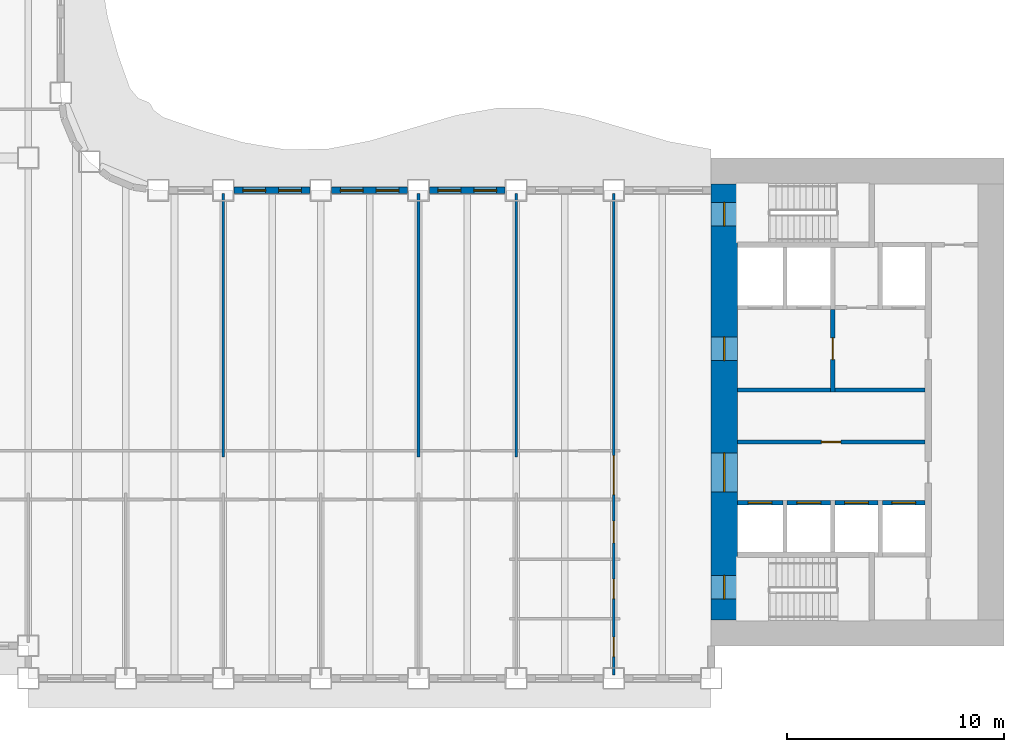
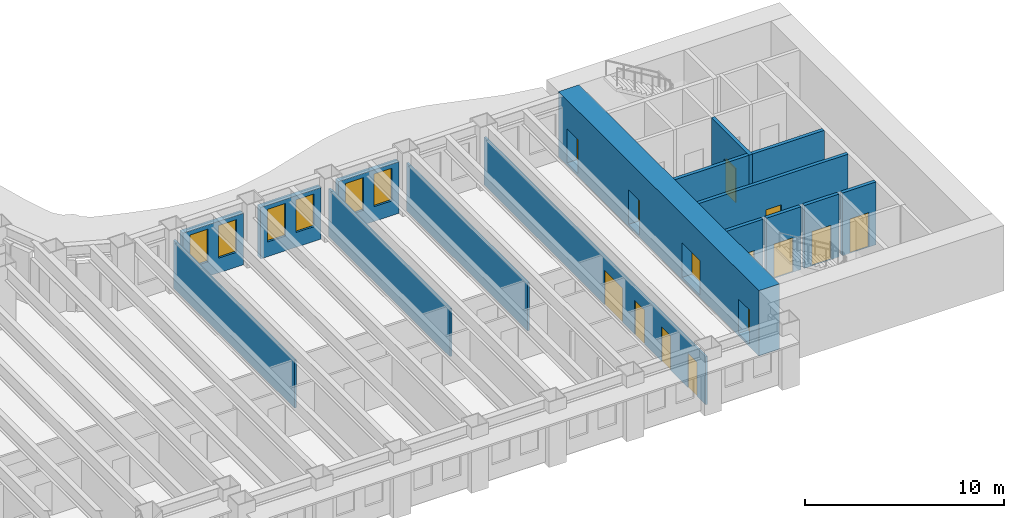
# One storey, part 6 of 16: 16 walls, 14 doors, 6 windows, 20 openings.
"""IFC4 building model written with IfcOpenShell, lengths in metres."""

import ifcopenshell
import ifcopenshell.guid

model = None  # the IFC model being written
_history = None  # IfcOwnerHistory: only IFC2X3 demands one
_inside = {}  # id of a spatial element -> (the spatial element, [elements in it])
_under = {}  # id of a project, library or spatial element -> (it, [spatial elements below it])
_declared = {}  # id of a project -> (the project, [libraries it declares])
_typed = {}  # id of a type object -> (the type object, [elements of that type])
_made_of = {}  # id of a material, layer set ... -> (it, [elements and type objects made of it])


def new_model(schema):
    """Start an empty IFC model of exactly this schema.

    Asked for "IFC4X3", IfcOpenShell would pick the latest addendum, in which some entities
    have other attributes; the version numbers below select the first issue.
    IFC2X3 requires an IfcOwnerHistory on every rooted entity: one is made here for all.
    """
    global model, _history
    if schema == "IFC4X3":
        model = ifcopenshell.file(schema_version=(4, 3, 0, 0))
    else:
        model = ifcopenshell.file(schema=schema)
    _inside.clear()
    _under.clear()
    _declared.clear()
    _typed.clear()
    _made_of.clear()
    _history = None
    if model.schema == "IFC2X3":
        org = make("IfcOrganization", Name="unknown")
        user = make(
            "IfcPersonAndOrganization",
            ThePerson=make("IfcPerson", FamilyName="unknown"),
            TheOrganization=org,
        )
        app = make(
            "IfcApplication",
            ApplicationDeveloper=org,
            Version="unknown",
            ApplicationFullName="unknown",
            ApplicationIdentifier="unknown",
        )
        _history = make(
            "IfcOwnerHistory",
            OwningUser=user,
            OwningApplication=app,
            ChangeAction="ADDED",
            CreationDate=0,
        )
    return model


def make(cls, **values):
    """One entity of the class cls with the attributes given. An attribute that is None is left unset."""
    return model.create_entity(
        cls, **{name: value for name, value in values.items() if value is not None}
    )


def rooted(cls, **values):
    """An entity with a GlobalId (a new one), such as an element, a storey or a relation."""
    return make(cls, GlobalId=ifcopenshell.guid.new(), OwnerHistory=_history, **values)


def si_unit(unit_type, name, prefix=None):
    """IfcSIUnit, for example si_unit("LENGTHUNIT", "METRE", prefix="MILLI")."""
    return make("IfcSIUnit", UnitType=unit_type, Prefix=prefix, Name=name)


def assignment(units):
    """IfcUnitAssignment: the units of a project."""
    return None if units is None else make("IfcUnitAssignment", Units=units)


def point(xyz):
    """IfcCartesianPoint."""
    return None if xyz is None else make("IfcCartesianPoint", Coordinates=xyz)


def direction(xyz):
    """IfcDirection."""
    return None if xyz is None else make("IfcDirection", DirectionRatios=xyz)


def frame(location, z_axis=None, x_axis=None):
    """IfcAxis2Placement3D, a coordinate frame: its origin and axes. An axis left out is left unset."""
    return make(
        "IfcAxis2Placement3D",
        Location=point(location),
        Axis=direction(z_axis),
        RefDirection=direction(x_axis),
    )


def frame_2d(location, x_axis=None):
    """IfcAxis2Placement2D, a coordinate frame in the plane: its origin and x axis."""
    return make(
        "IfcAxis2Placement2D", Location=point(location), RefDirection=direction(x_axis)
    )


def origin():
    """The frame at (0, 0, 0) with its axes left unset."""
    return frame((0.0, 0.0, 0.0))


def place(relative_to, where):
    """IfcLocalPlacement: puts the frame where relative to a parent placement (None: the world)."""
    return make(
        "IfcLocalPlacement", PlacementRelTo=relative_to, RelativePlacement=where
    )


def context(
    kind, dimensions, precision=None, world=None, true_north=None, identifier=None
):
    """IfcGeometricRepresentationContext, for example the 3D "Model" context."""
    return make(
        "IfcGeometricRepresentationContext",
        ContextIdentifier=identifier,
        ContextType=kind,
        CoordinateSpaceDimension=dimensions,
        Precision=precision,
        WorldCoordinateSystem=world,
        TrueNorth=true_north,
    )


def subcontext(parent, identifier, kind, view, scale=None):
    """IfcGeometricRepresentationSubContext, for example "Body" below "Model"."""
    return make(
        "IfcGeometricRepresentationSubContext",
        ContextIdentifier=identifier,
        ContextType=kind,
        ParentContext=parent,
        TargetScale=scale,
        TargetView=view,
    )


def project(units=None, contexts=None):
    """IfcProject with its units and contexts."""
    return rooted(
        "IfcProject",
        Name="project",
        RepresentationContexts=contexts,
        UnitsInContext=assignment(units),
    )


def spatial(cls, under=None, at=None, **own):
    """A site, building, storey or space (cls), placed at a placement, below another one or the project."""
    s = rooted(cls, ObjectPlacement=at, **own)
    if under is not None:
        _under.setdefault(under.id(), (under, []))[1].append(s)
    return s


def profile(cls, at=None, kind="AREA", **sizes):
    """A parametric profile (cls). Its sizes go by their IFC names, for example OverallWidth=200.0."""
    return make(cls, ProfileType=kind, Position=at, **sizes)


def rectangle(**sizes):
    """IfcRectangleProfileDef."""
    return profile("IfcRectangleProfileDef", **sizes)


def extrude(swept, where, along, depth):
    """IfcExtrudedAreaSolid: the profile swept, set in the frame where, extruded along a direction by depth."""
    return make(
        "IfcExtrudedAreaSolid",
        SweptArea=swept,
        Position=where,
        ExtrudedDirection=direction(along),
        Depth=depth,
    )


def shape(context_of_items, identifier, shape_type, items):
    """IfcShapeRepresentation: the items that make up one representation, for example the "Body"."""
    return make(
        "IfcShapeRepresentation",
        ContextOfItems=context_of_items,
        RepresentationIdentifier=identifier,
        RepresentationType=shape_type,
        Items=items,
    )


def material(Name=None, Category=None):
    """IfcMaterial."""
    return make("IfcMaterial", Name=Name, Category=Category)


def layer(
    of_material, thickness, ventilated=None, Name=None, Category=None, Priority=None
):
    """IfcMaterialLayer: one layer of a wall or slab, of a material (None: an air gap)."""
    return make(
        "IfcMaterialLayer",
        Material=of_material,
        LayerThickness=thickness,
        IsVentilated=ventilated,
        Name=Name,
        Category=Category,
        Priority=Priority,
    )


def layer_set(layers, Name=None):
    """IfcMaterialLayerSet."""
    return make("IfcMaterialLayerSet", MaterialLayers=layers, LayerSetName=Name)


def made_of(thing, what):
    """Note that an element or type object is made of a material, layer set ...; save() writes the relation."""
    if what is not None:
        _made_of.setdefault(what.id(), (what, []))[1].append(thing)
    return thing


def type_object(cls, material=None, **own):
    """A type object (cls), such as IfcWallType, which elements share."""
    return made_of(rooted(cls, **own), material)


def element(
    cls,
    number,
    at=None,
    inside=None,
    cuts=None,
    type_object=None,
    material=None,
    context=None,
    identifier="Body",
    shape_type=None,
    held_by="IfcProductDefinitionShape",
    body=None,
    shapes=None,
    **own,
):
    """One element of the class cls, such as IfcWall. Its Tag is "e" and its number.

    at: its placement. inside: the storey or other place that contains it. cuts: it is an
    opening in that element (IfcRelVoidsElement). A single representation is given by context,
    identifier, shape_type and body (its items); several are given by shapes. held_by: the class
    of the entity that holds the representations. save() writes the other relations.
    """
    e = rooted(cls, Tag="e%d" % number, ObjectPlacement=at, **own)
    if body is not None:
        shapes = [shape(context, identifier, shape_type, body)]
    if shapes is not None:
        e.Representation = make(held_by, Representations=shapes)
    if inside is not None:
        _inside.setdefault(inside.id(), (inside, []))[1].append(e)
    if cuts is not None:
        rooted(
            "IfcRelVoidsElement", RelatingBuildingElement=cuts, RelatedOpeningElement=e
        )
    if type_object is not None:
        _typed.setdefault(type_object.id(), (type_object, []))[1].append(e)
    return made_of(e, material)


def fill(opening, filler):
    """IfcRelFillsElement: the door or window that sits in an opening."""
    return rooted(
        "IfcRelFillsElement",
        RelatingOpeningElement=opening,
        RelatedBuildingElement=filler,
    )


def aggregate(whole, parts):
    """IfcRelAggregates: a whole, such as a stair, and the parts it consists of."""
    return rooted("IfcRelAggregates", RelatingObject=whole, RelatedObjects=parts)


def save(model, path):
    """Write the relations noted so far, then the file.

    IfcRelAggregates (storeys below a building ...), IfcRelContainedInSpatialStructure (elements
    in a storey), IfcRelDefinesByType, IfcRelAssociatesMaterial and IfcRelDeclares: one each for
    every whole, place, type object, material and project.
    """
    for whole, parts in _under.values():
        aggregate(whole, parts)
    for where, things in _inside.values():
        rooted(
            "IfcRelContainedInSpatialStructure",
            RelatedElements=things,
            RelatingStructure=where,
        )
    for kind, things in _typed.values():
        rooted("IfcRelDefinesByType", RelatedObjects=things, RelatingType=kind)
    for what, things in _made_of.values():
        rooted("IfcRelAssociatesMaterial", RelatedObjects=things, RelatingMaterial=what)
    for by, libraries in _declared.values():
        rooted("IfcRelDeclares", RelatingContext=by, RelatedDefinitions=libraries)
    model.write(path)


model = new_model("IFC4")

# Units and contexts
model_context = context("Model", 3, precision=1e-05, world=origin(), true_north=direction((0.0, 1.0)))
body_context = subcontext(model_context, "Body", "Model", "MODEL_VIEW")
ifc_project = project(units=[si_unit("LENGTHUNIT", "METRE"), si_unit("AREAUNIT", "SQUARE_METRE"), si_unit("VOLUMEUNIT", "CUBIC_METRE"), si_unit("PLANEANGLEUNIT", "RADIAN"), si_unit("MASSUNIT", "GRAM", prefix="KILO")], contexts=[model_context])

# Site, building, storey
site_placement = place(None, origin())
site = spatial("IfcSite", under=ifc_project, at=site_placement, CompositionType="ELEMENT")
building_placement = place(site_placement, origin())
building = spatial("IfcBuilding", under=site, at=building_placement, Name="Sennacour Bend Tower", CompositionType="ELEMENT")
storey_placement = place(building_placement, frame((0.0, 0.0, 107.0)))
storey = spatial("IfcBuildingStorey", under=building, at=storey_placement, Name="L24", CompositionType="ELEMENT", Elevation=107.0)

# Wall, openings, doors
ifc_material_1 = material(Name="Concrete C80/95", Category="concrete")
ifc_layer_1 = layer(ifc_material_1, 1.199951171875, Name="Concrete C80/95", Category="concrete")
ifc_layer_set_1 = layer_set([ifc_layer_1], Name="Concrete C80/95")
wall_type_1 = type_object("IfcWallType", Name="Core wall 1200 C80/95", PredefinedType="SHEAR", material=ifc_layer_set_1)
wall_1_placement = place(storey_placement, frame((54.60009765625, 1.199951171875, -0.14990234375), z_axis=(0.0, 0.0, 1.0), x_axis=(0.0, 1.0, 0.0)))
wall_1 = element("IfcWall", 1, at=wall_1_placement, inside=storey, type_object=wall_type_1, Name="Core A wall L24 W", PredefinedType="SHEAR", context=body_context, shape_type="SweptSolid", body=[
    extrude(rectangle(XDim=20.10009765625, YDim=1.199951171875, at=frame_2d((10.050048828125, 0.0))), origin(), (0.0, 0.0, 1.0), 4.0),
])
opening_1_placement = place(wall_1_placement, frame((5.89990234375, 0.0, 0.14990234375)))
opening_1 = element("IfcOpeningElement", 2, at=opening_1_placement, cuts=wall_1, Name="Opening CD", PredefinedType="OPENING", context=body_context, shape_type="SweptSolid", body=[
    extrude(rectangle(XDim=1.800048828125, YDim=2.10009765625, at=frame_2d((0.89990234375, 1.050048828125))), frame((0.0, 0.60986328125, 0.0), z_axis=(0.0, -1.0, 0.0), x_axis=(1.0, 0.0, 0.0)), (0.0, 0.0, 1.0), 1.219970703125),
])
opening_2_placement = place(wall_1_placement, frame((11.949951171875, 0.0, 0.14990234375)))
opening_2 = element("IfcOpeningElement", 3, at=opening_2_placement, cuts=wall_1, Name="Opening FD", PredefinedType="OPENING", context=body_context, shape_type="SweptSolid", body=[
    extrude(rectangle(XDim=1.10009765625, YDim=2.10009765625, at=frame_2d((0.550048828125, 1.050048828125))), frame((0.0, 0.60986328125, 0.0), z_axis=(0.0, -1.0, 0.0), x_axis=(1.0, 0.0, 0.0)), (0.0, 0.0, 1.0), 1.219970703125),
])
opening_3_placement = place(wall_1_placement, frame((0.949951171875, 0.0, 0.14990234375)))
opening_3 = element("IfcOpeningElement", 4, at=opening_3_placement, cuts=wall_1, Name="Opening SD", PredefinedType="OPENING", context=body_context, shape_type="SweptSolid", body=[
    extrude(rectangle(XDim=1.10009765625, YDim=2.10009765625, at=frame_2d((0.550048828125, 1.050048828125))), frame((0.0, 0.60986328125, 0.0), z_axis=(0.0, -1.0, 0.0), x_axis=(1.0, 0.0, 0.0)), (0.0, 0.0, 1.0), 1.219970703125),
])
opening_4_placement = place(wall_1_placement, frame((18.14990234375, 0.0, 0.14990234375)))
opening_4 = element("IfcOpeningElement", 5, at=opening_4_placement, cuts=wall_1, Name="Opening SD", PredefinedType="OPENING", context=body_context, shape_type="SweptSolid", body=[
    extrude(rectangle(XDim=1.10009765625, YDim=2.10009765625, at=frame_2d((0.550048828125, 1.050048828125))), frame((0.0, 0.60986328125, 0.0), z_axis=(0.0, -1.0, 0.0), x_axis=(1.0, 0.0, 0.0)), (0.0, 0.0, 1.0), 1.219970703125),
])
ifc_material_2 = material(Name="Painted steel", Category="steel")
door_type_1 = type_object("IfcDoorType", Name="DR-FFL-1100", OperationType="NOTDEFINED", PredefinedType="DOOR", material=ifc_material_2)
door_1_placement = place(opening_2_placement, origin())
door_1 = element("IfcDoor", 6, at=door_1_placement, inside=storey, type_object=door_type_1, Name="Door", OperationType="SINGLE_SWING_RIGHT", OverallHeight=2.10009765625, OverallWidth=1.10009765625, PredefinedType="DOOR", context=body_context, shape_type="SweptSolid", body=[
    extrude(rectangle(XDim=1.10009765625, YDim=2.10009765625, at=frame_2d((0.550048828125, 1.050048828125))), frame((0.0, 0.02490234375, 0.0), z_axis=(0.0, -1.0, 0.0), x_axis=(1.0, 0.0, 0.0)), (0.0, 0.0, 1.0), 0.050048828125),
])
fill(opening_2, door_1)
door_type_2 = type_object("IfcDoorType", Name="DR-LOBBY-1800", OperationType="NOTDEFINED", PredefinedType="DOOR", material=ifc_material_2)
door_2_placement = place(opening_1_placement, origin())
door_2 = element("IfcDoor", 7, at=door_2_placement, inside=storey, type_object=door_type_2, Name="Door", OperationType="DOUBLE_DOOR_SINGLE_SWING", OverallHeight=2.10009765625, OverallWidth=1.800048828125, PredefinedType="DOOR", context=body_context, shape_type="SweptSolid", body=[
    extrude(rectangle(XDim=1.800048828125, YDim=2.10009765625, at=frame_2d((0.89990234375, 1.050048828125))), frame((0.0, 0.02490234375, 0.0), z_axis=(0.0, -1.0, 0.0), x_axis=(1.0, 0.0, 0.0)), (0.0, 0.0, 1.0), 0.050048828125),
])
fill(opening_1, door_2)
door_type_3 = type_object("IfcDoorType", Name="DR-STAIR-1100", OperationType="NOTDEFINED", PredefinedType="DOOR", material=ifc_material_2)
door_3_placement = place(opening_3_placement, origin())
door_3 = element("IfcDoor", 8, at=door_3_placement, inside=storey, type_object=door_type_3, Name="Door", OperationType="SINGLE_SWING_LEFT", OverallHeight=2.10009765625, OverallWidth=1.10009765625, PredefinedType="DOOR", context=body_context, shape_type="SweptSolid", body=[
    extrude(rectangle(XDim=1.10009765625, YDim=2.10009765625, at=frame_2d((0.550048828125, 1.050048828125))), frame((0.0, 0.02490234375, 0.0), z_axis=(0.0, -1.0, 0.0), x_axis=(1.0, 0.0, 0.0)), (0.0, 0.0, 1.0), 0.050048828125),
])
fill(opening_3, door_3)
door_4_placement = place(opening_4_placement, origin())
door_4 = element("IfcDoor", 9, at=door_4_placement, inside=storey, type_object=door_type_3, Name="Door", OperationType="SINGLE_SWING_RIGHT", OverallHeight=2.10009765625, OverallWidth=1.10009765625, PredefinedType="DOOR", context=body_context, shape_type="SweptSolid", body=[
    extrude(rectangle(XDim=1.10009765625, YDim=2.10009765625, at=frame_2d((0.550048828125, 1.050048828125))), frame((0.0, 0.02490234375, 0.0), z_axis=(0.0, -1.0, 0.0), x_axis=(1.0, 0.0, 0.0)), (0.0, 0.0, 1.0), 0.050048828125),
])
fill(opening_4, door_4)

# Walls
ifc_material_3 = material(Name="Plasterboard partition on steel studs", Category="steel")
ifc_layer_2 = layer(ifc_material_3, 0.1201171875, Name="Plasterboard partition on steel studs", Category="steel")
ifc_layer_set_2 = layer_set([ifc_layer_2], Name="Plasterboard partition on steel studs")
wall_type_2 = type_object("IfcWallType", Name="Partition 120", PredefinedType="PARTITIONING", material=ifc_layer_set_2)
for number, where, z_axis, x_axis, name in (
    (10, (31.5, 8.699951171875, 0.0), (0.0, 0.0, 1.0), (0.0, 1.0, 0.0), "P-L24-W027a"),
    (11, (40.5, 8.699951171875, 0.0), (0.0, 0.0, 1.0), (0.0, 1.0, 0.0), "P-L24-W030a"),
    (12, (45.0, 8.699951171875, 0.0), (0.0, 0.0, 1.0), (0.0, 1.0, 0.0), "P-L24-W032a"),
):
    element("IfcWall", number, at=place(storey_placement, frame(where, z_axis=z_axis, x_axis=x_axis)), inside=storey, type_object=wall_type_2, Name=name, PredefinedType="PARTITIONING", context=body_context, shape_type="SweptSolid", body=[
        extrude(rectangle(XDim=12.150146484375, YDim=0.1201171875, at=frame_2d((6.0751953125, 0.0))), origin(), (0.0, 0.0, 1.0), 2.93798828125),
    ])

# Wall, openings, doors
ifc_layer_3 = layer(ifc_material_3, 0.1201171875, Name="Plasterboard partition on steel studs", Category="steel")
ifc_layer_set_3 = layer_set([ifc_layer_3], Name="Plasterboard partition on steel studs")
wall_type_3 = type_object("IfcWallType", Name="Partition 120 EI 30", PredefinedType="PARTITIONING", material=ifc_layer_set_3)
wall_2_placement = place(storey_placement, frame((49.5, -1.35009765625, 0.0), z_axis=(0.0, 0.0, 1.0), x_axis=(0.0, 1.0, 0.0)))
wall_2 = element("IfcWall", 13, at=wall_2_placement, inside=storey, type_object=wall_type_3, Name="P-L24-W033a", PredefinedType="PARTITIONING", context=body_context, shape_type="SweptSolid", body=[
    extrude(rectangle(XDim=22.2001953125, YDim=0.1201171875, at=frame_2d((11.10009765625, 0.0))), origin(), (0.0, 0.0, 1.0), 2.93798828125),
])
opening_5_placement = place(wall_2_placement, frame((8.3251953125, 0.0, 0.0)))
opening_5 = element("IfcOpeningElement", 14, at=opening_5_placement, cuts=wall_2, Name="Opening KD3", PredefinedType="OPENING", context=body_context, shape_type="SweptSolid", body=[
    extrude(rectangle(XDim=1.800048828125, YDim=2.10009765625, at=frame_2d((0.89990234375, 1.050048828125))), frame((0.0, 0.070068359375, 0.0), z_axis=(0.0, -1.0, 0.0), x_axis=(1.0, 0.0, 0.0)), (0.0, 0.0, 1.0), 0.14013671875),
])
opening_6_placement = place(wall_2_placement, frame((0.85009765625, 0.0, 0.0)))
opening_6 = element("IfcOpeningElement", 15, at=opening_6_placement, cuts=wall_2, Name="Opening WD", PredefinedType="OPENING", context=body_context, shape_type="SweptSolid", body=[
    extrude(rectangle(XDim=0.89990234375, YDim=2.10009765625, at=frame_2d((0.449951171875, 1.050048828125))), frame((0.0, 0.070068359375, 0.0), z_axis=(0.0, -1.0, 0.0), x_axis=(1.0, 0.0, 0.0)), (0.0, 0.0, 1.0), 0.14013671875),
])
opening_7_placement = place(wall_2_placement, frame((3.525146484375, 0.0, 0.0)))
opening_7 = element("IfcOpeningElement", 16, at=opening_7_placement, cuts=wall_2, Name="Opening WD", PredefinedType="OPENING", context=body_context, shape_type="SweptSolid", body=[
    extrude(rectangle(XDim=0.89990234375, YDim=2.10009765625, at=frame_2d((0.449951171875, 1.050048828125))), frame((0.0, 0.070068359375, 0.0), z_axis=(0.0, -1.0, 0.0), x_axis=(1.0, 0.0, 0.0)), (0.0, 0.0, 1.0), 0.14013671875),
])
opening_8_placement = place(wall_2_placement, frame((6.10009765625, 0.0, 0.0)))
opening_8 = element("IfcOpeningElement", 17, at=opening_8_placement, cuts=wall_2, Name="Opening AD", PredefinedType="OPENING", context=body_context, shape_type="SweptSolid", body=[
    extrude(rectangle(XDim=1.0, YDim=2.10009765625, at=frame_2d((0.5, 1.050048828125))), frame((0.0, 0.070068359375, 0.0), z_axis=(0.0, -1.0, 0.0), x_axis=(1.0, 0.0, 0.0)), (0.0, 0.0, 1.0), 0.14013671875),
])
ifc_material_4 = material(Name="Timber", Category="wood")
door_type_4 = type_object("IfcDoorType", Name="DR-ACC-WC-1000", OperationType="NOTDEFINED", PredefinedType="DOOR", material=ifc_material_4)
door_5_placement = place(opening_8_placement, origin())
door_5 = element("IfcDoor", 18, at=door_5_placement, inside=storey, type_object=door_type_4, Name="Door", OperationType="SINGLE_SWING_LEFT", OverallHeight=2.10009765625, OverallWidth=1.0, PredefinedType="DOOR", context=body_context, shape_type="SweptSolid", body=[
    extrude(rectangle(XDim=1.0, YDim=2.10009765625, at=frame_2d((0.5, 1.050048828125))), frame((0.0, 0.02490234375, 0.0), z_axis=(0.0, -1.0, 0.0), x_axis=(1.0, 0.0, 0.0)), (0.0, 0.0, 1.0), 0.050048828125),
])
fill(opening_8, door_5)
door_type_5 = type_object("IfcDoorType", Name="DR-CORRIDOR-1800", OperationType="NOTDEFINED", PredefinedType="DOOR", material=ifc_material_2)
door_6_placement = place(opening_5_placement, origin())
door_6 = element("IfcDoor", 19, at=door_6_placement, inside=storey, type_object=door_type_5, Name="Door", OperationType="DOUBLE_DOOR_SINGLE_SWING", OverallHeight=2.10009765625, OverallWidth=1.800048828125, PredefinedType="DOOR", context=body_context, shape_type="SweptSolid", body=[
    extrude(rectangle(XDim=1.800048828125, YDim=2.10009765625, at=frame_2d((0.89990234375, 1.050048828125))), frame((0.0, 0.02490234375, 0.0), z_axis=(0.0, -1.0, 0.0), x_axis=(1.0, 0.0, 0.0)), (0.0, 0.0, 1.0), 0.050048828125),
])
fill(opening_5, door_6)
door_type_6 = type_object("IfcDoorType", Name="DR-WC-900", OperationType="NOTDEFINED", PredefinedType="DOOR", material=ifc_material_4)
door_7_placement = place(opening_6_placement, origin())
door_7 = element("IfcDoor", 20, at=door_7_placement, inside=storey, type_object=door_type_6, Name="Door", OperationType="SINGLE_SWING_LEFT", OverallHeight=2.10009765625, OverallWidth=0.89990234375, PredefinedType="DOOR", context=body_context, shape_type="SweptSolid", body=[
    extrude(rectangle(XDim=0.89990234375, YDim=2.10009765625, at=frame_2d((0.449951171875, 1.050048828125))), frame((0.0, 0.02490234375, 0.0), z_axis=(0.0, -1.0, 0.0), x_axis=(1.0, 0.0, 0.0)), (0.0, 0.0, 1.0), 0.050048828125),
])
fill(opening_6, door_7)
door_8_placement = place(opening_7_placement, origin())
door_8 = element("IfcDoor", 21, at=door_8_placement, inside=storey, type_object=door_type_6, Name="Door", OperationType="SINGLE_SWING_LEFT", OverallHeight=2.10009765625, OverallWidth=0.89990234375, PredefinedType="DOOR", context=body_context, shape_type="SweptSolid", body=[
    extrude(rectangle(XDim=0.89990234375, YDim=2.10009765625, at=frame_2d((0.449951171875, 1.050048828125))), frame((0.0, 0.02490234375, 0.0), z_axis=(0.0, -1.0, 0.0), x_axis=(1.0, 0.0, 0.0)), (0.0, 0.0, 1.0), 0.050048828125),
])
fill(opening_7, door_8)

# Wall, opening, door
ifc_material_5 = material(Name="Fire-rated plasterboard partition on steel studs", Category="steel")
ifc_layer_4 = layer(ifc_material_5, 0.199951171875, Name="Fire-rated plasterboard partition on steel studs", Category="steel")
ifc_layer_set_4 = layer_set([ifc_layer_4], Name="Fire-rated plasterboard partition on steel studs")
wall_type_4 = type_object("IfcWallType", Name="Rated partition 200", PredefinedType="PARTITIONING", material=ifc_layer_set_4)
wall_3_placement = place(storey_placement, frame((55.199951171875, 9.39990234375, 0.0), z_axis=(0.0, 0.0, 1.0), x_axis=(1.0, 0.0, 0.0)))
wall_3 = element("IfcWall", 22, at=wall_3_placement, inside=storey, type_object=wall_type_4, Name="P-L24-W058", PredefinedType="PARTITIONING", context=body_context, shape_type="SweptSolid", body=[
    extrude(rectangle(XDim=8.650146484375, YDim=0.199951171875, at=frame_2d((4.3251953125, 0.0))), origin(), (0.0, 0.0, 1.0), 3.85009765625),
])
opening_9_placement = place(wall_3_placement, frame((3.875, 0.0, 0.0)))
opening_9 = element("IfcOpeningElement", 23, at=opening_9_placement, cuts=wall_3, Name="Opening SV", PredefinedType="OPENING", context=body_context, shape_type="SweptSolid", body=[
    extrude(rectangle(XDim=0.89990234375, YDim=2.10009765625, at=frame_2d((0.449951171875, 1.050048828125))), frame((0.0, 0.10986328125, 0.0), z_axis=(0.0, -1.0, 0.0), x_axis=(1.0, 0.0, 0.0)), (0.0, 0.0, 1.0), 0.219970703125),
])
door_type_7 = type_object("IfcDoorType", Name="DR-SERVICE-900", OperationType="NOTDEFINED", PredefinedType="DOOR", material=ifc_material_2)
door_9_placement = place(opening_9_placement, origin())
door_9 = element("IfcDoor", 24, at=door_9_placement, inside=storey, type_object=door_type_7, Name="Door", OperationType="SINGLE_SWING_LEFT", OverallHeight=2.10009765625, OverallWidth=0.89990234375, PredefinedType="DOOR", context=body_context, shape_type="SweptSolid", body=[
    extrude(rectangle(XDim=0.89990234375, YDim=2.10009765625, at=frame_2d((0.449951171875, 1.050048828125))), frame((0.0, 0.02490234375, 0.0), z_axis=(0.0, -1.0, 0.0), x_axis=(1.0, 0.0, 0.0)), (0.0, 0.0, 1.0), 0.050048828125),
])
fill(opening_9, door_9)

# Walls
wall_4_placement = place(storey_placement, frame((55.199951171875, 11.800048828125, 0.0), z_axis=(0.0, 0.0, 1.0), x_axis=(1.0, 0.0, 0.0)))
element("IfcWall", 25, at=wall_4_placement, inside=storey, type_object=wall_type_4, Name="P-L24-W059a", PredefinedType="PARTITIONING", context=body_context, shape_type="SweptSolid", body=[
    extrude(rectangle(XDim=4.300048828125, YDim=0.199951171875, at=frame_2d((2.14990234375, 0.0))), origin(), (0.0, 0.0, 1.0), 3.85009765625),
])
wall_5_placement = place(storey_placement, frame((59.699951171875, 11.800048828125, 0.0), z_axis=(0.0, 0.0, 1.0), x_axis=(1.0, 0.0, 0.0)))
element("IfcWall", 26, at=wall_5_placement, inside=storey, type_object=wall_type_4, Name="P-L24-W059b", PredefinedType="PARTITIONING", context=body_context, shape_type="SweptSolid", body=[
    extrude(rectangle(XDim=4.150146484375, YDim=0.199951171875, at=frame_2d((2.0751953125, 0.0))), origin(), (0.0, 0.0, 1.0), 3.85009765625),
])

# Wall, opening, door
ifc_layer_5 = layer(ifc_material_5, 0.199951171875, Name="Fire-rated plasterboard partition on steel studs", Category="steel")
ifc_layer_set_5 = layer_set([ifc_layer_5], Name="Fire-rated plasterboard partition on steel studs")
wall_type_5 = type_object("IfcWallType", Name="Rated partition 200 EI 90", PredefinedType="PARTITIONING", material=ifc_layer_set_5)
wall_6_placement = place(storey_placement, frame((59.60009765625, 11.699951171875, 0.0), z_axis=(0.0, 0.0, 1.0), x_axis=(0.0, 1.0, 0.0)))
wall_6 = element("IfcWall", 27, at=wall_6_placement, inside=storey, type_object=wall_type_5, Name="P-L24-W038", PredefinedType="PARTITIONING", context=body_context, shape_type="SweptSolid", body=[
    extrude(rectangle(XDim=3.800048828125, YDim=0.199951171875, at=frame_2d((1.89990234375, 0.0))), origin(), (0.0, 0.0, 1.0), 3.85009765625),
])
opening_10_placement = place(wall_6_placement, frame((1.5, 0.0, 0.0)))
opening_10 = element("IfcOpeningElement", 28, at=opening_10_placement, cuts=wall_6, Name="Opening FD2", PredefinedType="OPENING", context=body_context, shape_type="SweptSolid", body=[
    extrude(rectangle(XDim=1.0, YDim=2.10009765625, at=frame_2d((0.5, 1.050048828125))), frame((0.0, 0.10986328125, 0.0), z_axis=(0.0, -1.0, 0.0), x_axis=(1.0, 0.0, 0.0)), (0.0, 0.0, 1.0), 0.219970703125),
])
door_type_8 = type_object("IfcDoorType", Name="DR-FFL-1000", OperationType="NOTDEFINED", PredefinedType="DOOR", material=ifc_material_2)
door_10_placement = place(opening_10_placement, origin())
door_10 = element("IfcDoor", 29, at=door_10_placement, inside=storey, type_object=door_type_8, Name="Door", OperationType="SINGLE_SWING_RIGHT", OverallHeight=2.10009765625, OverallWidth=1.0, PredefinedType="DOOR", context=body_context, shape_type="SweptSolid", body=[
    extrude(rectangle(XDim=1.0, YDim=2.10009765625, at=frame_2d((0.5, 1.050048828125))), frame((0.0, 0.02490234375, 0.0), z_axis=(0.0, -1.0, 0.0), x_axis=(1.0, 0.0, 0.0)), (0.0, 0.0, 1.0), 0.050048828125),
])
fill(opening_10, door_10)

# Wall, openings, windows
ifc_material_6 = material(Name="Warm limestone cladding", Category="masonry")
ifc_layer_6 = layer(ifc_material_6, 0.050048828125, Name="Warm limestone cladding", Category="masonry")
ifc_material_7 = material(Name="Precast concrete C40/50", Category="concrete")
ifc_layer_7 = layer(ifc_material_7, 0.25, Name="Precast concrete C40/50", Category="concrete")
ifc_layer_set_6 = layer_set([ifc_layer_6, ifc_layer_7], Name="Precast concrete C40/50 with limestone cladding")
wall_type_6 = type_object("IfcWallType", Name="STONE-CLAD PRECAST SPANDREL 300", PredefinedType="STANDARD", material=ifc_layer_set_6)
wall_7_placement = place(storey_placement, frame((44.5, 21.0, 0.0), z_axis=(0.0, 0.0, 1.0), x_axis=(-1.0, 0.0, 0.0)))
wall_7 = element("IfcWall", 30, at=wall_7_placement, inside=storey, type_object=wall_type_6, Name="Stone spandrel and pier wall L24 06.02", PredefinedType="STANDARD", context=body_context, shape_type="SweptSolid", body=[
    extrude(rectangle(XDim=3.5, YDim=0.300048828125, at=frame_2d((1.75, 0.0))), origin(), (0.0, 0.0, 1.0), 3.154052734375),
])
opening_11_placement = place(wall_7_placement, frame((0.39990234375, 0.0, 0.89990234375)))
opening_11 = element("IfcOpeningElement", 31, at=opening_11_placement, cuts=wall_7, Name="Opening W13", PredefinedType="OPENING", context=body_context, shape_type="SweptSolid", body=[
    extrude(rectangle(XDim=1.050048828125, YDim=2.0, at=frame_2d((0.52490234375, 1.0))), frame((0.0, 0.16015625, 0.0), z_axis=(0.0, -1.0, 0.0), x_axis=(1.0, 0.0, 0.0)), (0.0, 0.0, 1.0), 0.320068359375),
])
opening_12_placement = place(wall_7_placement, frame((2.050048828125, 0.0, 0.89990234375)))
opening_12 = element("IfcOpeningElement", 32, at=opening_12_placement, cuts=wall_7, Name="Opening W13", PredefinedType="OPENING", context=body_context, shape_type="SweptSolid", body=[
    extrude(rectangle(XDim=1.050048828125, YDim=2.0, at=frame_2d((0.52490234375, 1.0))), frame((0.0, 0.16015625, 0.0), z_axis=(0.0, -1.0, 0.0), x_axis=(1.0, 0.0, 0.0)), (0.0, 0.0, 1.0), 0.320068359375),
])
ifc_material_8 = material(Name="Clear low-emissivity glass", Category="glass")
window_type = type_object("IfcWindowType", Name="WIN-RIBBON-1050x2000", PartitioningType="SINGLE_PANEL", PredefinedType="WINDOW", material=ifc_material_8)
window_1_placement = place(opening_11_placement, origin())
window_1 = element("IfcWindow", 33, at=window_1_placement, inside=storey, type_object=window_type, Name="Ribbon window L24 06.02.0", OverallHeight=2.0, OverallWidth=1.050048828125, PartitioningType="SINGLE_PANEL", PredefinedType="WINDOW", context=body_context, shape_type="SweptSolid", body=[
    extrude(rectangle(XDim=1.050048828125, YDim=2.0, at=frame_2d((0.52490234375, 1.0))), frame((0.0, 0.030029296875, 0.0), z_axis=(0.0, -1.0, 0.0), x_axis=(1.0, 0.0, 0.0)), (0.0, 0.0, 1.0), 0.06005859375),
])
fill(opening_11, window_1)
window_2_placement = place(opening_12_placement, origin())
window_2 = element("IfcWindow", 34, at=window_2_placement, inside=storey, type_object=window_type, Name="Ribbon window L24 06.02.1", OverallHeight=2.0, OverallWidth=1.050048828125, PartitioningType="SINGLE_PANEL", PredefinedType="WINDOW", context=body_context, shape_type="SweptSolid", body=[
    extrude(rectangle(XDim=1.050048828125, YDim=2.0, at=frame_2d((0.52490234375, 1.0))), frame((0.0, 0.030029296875, 0.0), z_axis=(0.0, -1.0, 0.0), x_axis=(1.0, 0.0, 0.0)), (0.0, 0.0, 1.0), 0.06005859375),
])
fill(opening_12, window_2)

wall_8_placement = place(storey_placement, frame((40.0, 21.0, 0.0), z_axis=(0.0, 0.0, 1.0), x_axis=(-1.0, 0.0, 0.0)))
wall_8 = element("IfcWall", 35, at=wall_8_placement, inside=storey, type_object=wall_type_6, Name="Stone spandrel and pier wall L24 06.03", PredefinedType="STANDARD", context=body_context, shape_type="SweptSolid", body=[
    extrude(rectangle(XDim=3.5, YDim=0.300048828125, at=frame_2d((1.75, 0.0))), origin(), (0.0, 0.0, 1.0), 3.154052734375),
])
opening_13_placement = place(wall_8_placement, frame((0.39990234375, 0.0, 0.89990234375)))
opening_13 = element("IfcOpeningElement", 36, at=opening_13_placement, cuts=wall_8, Name="Opening W13", PredefinedType="OPENING", context=body_context, shape_type="SweptSolid", body=[
    extrude(rectangle(XDim=1.050048828125, YDim=2.0, at=frame_2d((0.52490234375, 1.0))), frame((0.0, 0.16015625, 0.0), z_axis=(0.0, -1.0, 0.0), x_axis=(1.0, 0.0, 0.0)), (0.0, 0.0, 1.0), 0.320068359375),
])
opening_14_placement = place(wall_8_placement, frame((2.050048828125, 0.0, 0.89990234375)))
opening_14 = element("IfcOpeningElement", 37, at=opening_14_placement, cuts=wall_8, Name="Opening W13", PredefinedType="OPENING", context=body_context, shape_type="SweptSolid", body=[
    extrude(rectangle(XDim=1.050048828125, YDim=2.0, at=frame_2d((0.52490234375, 1.0))), frame((0.0, 0.16015625, 0.0), z_axis=(0.0, -1.0, 0.0), x_axis=(1.0, 0.0, 0.0)), (0.0, 0.0, 1.0), 0.320068359375),
])
window_3_placement = place(opening_13_placement, origin())
window_3 = element("IfcWindow", 38, at=window_3_placement, inside=storey, type_object=window_type, Name="Ribbon window L24 06.03.0", OverallHeight=2.0, OverallWidth=1.050048828125, PartitioningType="SINGLE_PANEL", PredefinedType="WINDOW", context=body_context, shape_type="SweptSolid", body=[
    extrude(rectangle(XDim=1.050048828125, YDim=2.0, at=frame_2d((0.52490234375, 1.0))), frame((0.0, 0.030029296875, 0.0), z_axis=(0.0, -1.0, 0.0), x_axis=(1.0, 0.0, 0.0)), (0.0, 0.0, 1.0), 0.06005859375),
])
fill(opening_13, window_3)
window_4_placement = place(opening_14_placement, origin())
window_4 = element("IfcWindow", 39, at=window_4_placement, inside=storey, type_object=window_type, Name="Ribbon window L24 06.03.1", OverallHeight=2.0, OverallWidth=1.050048828125, PartitioningType="SINGLE_PANEL", PredefinedType="WINDOW", context=body_context, shape_type="SweptSolid", body=[
    extrude(rectangle(XDim=1.050048828125, YDim=2.0, at=frame_2d((0.52490234375, 1.0))), frame((0.0, 0.030029296875, 0.0), z_axis=(0.0, -1.0, 0.0), x_axis=(1.0, 0.0, 0.0)), (0.0, 0.0, 1.0), 0.06005859375),
])
fill(opening_14, window_4)

wall_9_placement = place(storey_placement, frame((35.5, 21.0, 0.0), z_axis=(0.0, 0.0, 1.0), x_axis=(-1.0, 0.0, 0.0)))
wall_9 = element("IfcWall", 40, at=wall_9_placement, inside=storey, type_object=wall_type_6, Name="Stone spandrel and pier wall L24 06.04", PredefinedType="STANDARD", context=body_context, shape_type="SweptSolid", body=[
    extrude(rectangle(XDim=3.5, YDim=0.300048828125, at=frame_2d((1.75, 0.0))), origin(), (0.0, 0.0, 1.0), 3.154052734375),
])
opening_15_placement = place(wall_9_placement, frame((0.39990234375, 0.0, 0.89990234375)))
opening_15 = element("IfcOpeningElement", 41, at=opening_15_placement, cuts=wall_9, Name="Opening W13", PredefinedType="OPENING", context=body_context, shape_type="SweptSolid", body=[
    extrude(rectangle(XDim=1.050048828125, YDim=2.0, at=frame_2d((0.52490234375, 1.0))), frame((0.0, 0.16015625, 0.0), z_axis=(0.0, -1.0, 0.0), x_axis=(1.0, 0.0, 0.0)), (0.0, 0.0, 1.0), 0.320068359375),
])
opening_16_placement = place(wall_9_placement, frame((2.050048828125, 0.0, 0.89990234375)))
opening_16 = element("IfcOpeningElement", 42, at=opening_16_placement, cuts=wall_9, Name="Opening W13", PredefinedType="OPENING", context=body_context, shape_type="SweptSolid", body=[
    extrude(rectangle(XDim=1.050048828125, YDim=2.0, at=frame_2d((0.52490234375, 1.0))), frame((0.0, 0.16015625, 0.0), z_axis=(0.0, -1.0, 0.0), x_axis=(1.0, 0.0, 0.0)), (0.0, 0.0, 1.0), 0.320068359375),
])
window_5_placement = place(opening_15_placement, origin())
window_5 = element("IfcWindow", 43, at=window_5_placement, inside=storey, type_object=window_type, Name="Ribbon window L24 06.04.0", OverallHeight=2.0, OverallWidth=1.050048828125, PartitioningType="SINGLE_PANEL", PredefinedType="WINDOW", context=body_context, shape_type="SweptSolid", body=[
    extrude(rectangle(XDim=1.050048828125, YDim=2.0, at=frame_2d((0.52490234375, 1.0))), frame((0.0, 0.030029296875, 0.0), z_axis=(0.0, -1.0, 0.0), x_axis=(1.0, 0.0, 0.0)), (0.0, 0.0, 1.0), 0.06005859375),
])
fill(opening_15, window_5)
window_6_placement = place(opening_16_placement, origin())
window_6 = element("IfcWindow", 44, at=window_6_placement, inside=storey, type_object=window_type, Name="Ribbon window L24 06.04.1", OverallHeight=2.0, OverallWidth=1.050048828125, PartitioningType="SINGLE_PANEL", PredefinedType="WINDOW", context=body_context, shape_type="SweptSolid", body=[
    extrude(rectangle(XDim=1.050048828125, YDim=2.0, at=frame_2d((0.52490234375, 1.0))), frame((0.0, 0.030029296875, 0.0), z_axis=(0.0, -1.0, 0.0), x_axis=(1.0, 0.0, 0.0)), (0.0, 0.0, 1.0), 0.06005859375),
])
fill(opening_16, window_6)

# Wall, opening, door
ifc_material_9 = material(Name="Concrete C50/60", Category="concrete")
ifc_layer_8 = layer(ifc_material_9, 0.199951171875, Name="Concrete C50/60", Category="concrete")
ifc_layer_set_7 = layer_set([ifc_layer_8], Name="Concrete C50/60")
wall_type_7 = type_object("IfcWallType", Name="Shaft wall 200", PredefinedType="SOLIDWALL", material=ifc_layer_set_7)
wall_10_placement = place(storey_placement, frame((55.199951171875, 6.60009765625, 0.0), z_axis=(0.0, 0.0, 1.0), x_axis=(1.0, 0.0, 0.0)))
wall_10 = element("IfcWall", 45, at=wall_10_placement, inside=storey, type_object=wall_type_7, Name="P-L24-W055a", PredefinedType="SOLIDWALL", context=body_context, shape_type="SweptSolid", body=[
    extrude(rectangle(XDim=2.10009765625, YDim=0.199951171875, at=frame_2d((1.050048828125, 0.0))), origin(), (0.0, 0.0, 1.0), 3.85009765625),
])
opening_17_placement = place(wall_10_placement, frame((0.5, 0.0, 0.011962890625)))
opening_17 = element("IfcOpeningElement", 46, at=opening_17_placement, cuts=wall_10, Name="Opening LD", PredefinedType="OPENING", context=body_context, shape_type="SweptSolid", body=[
    extrude(rectangle(XDim=1.10009765625, YDim=2.10009765625, at=frame_2d((0.550048828125, 1.050048828125))), frame((0.0, 0.10986328125, 0.0), z_axis=(0.0, -1.0, 0.0), x_axis=(1.0, 0.0, 0.0)), (0.0, 0.0, 1.0), 0.219970703125),
])
ifc_material_10 = material(Name="Stainless steel", Category="steel")
door_type_9 = type_object("IfcDoorType", Name="DR-LANDING-1100", OperationType="NOTDEFINED", PredefinedType="DOOR", material=ifc_material_10)
door_11_placement = place(opening_17_placement, origin())
door_11 = element("IfcDoor", 47, at=door_11_placement, inside=storey, type_object=door_type_9, Name="Lift landing door LA1", OperationType="SLIDING_TO_LEFT", OverallHeight=2.10009765625, OverallWidth=1.10009765625, PredefinedType="DOOR", context=body_context, shape_type="SweptSolid", body=[
    extrude(rectangle(XDim=1.10009765625, YDim=2.10009765625, at=frame_2d((0.550048828125, 1.050048828125))), frame((0.0, 0.02490234375, 0.0), z_axis=(0.0, -1.0, 0.0), x_axis=(1.0, 0.0, 0.0)), (0.0, 0.0, 1.0), 0.050048828125),
])
fill(opening_17, door_11)

wall_11_placement = place(storey_placement, frame((57.5, 6.60009765625, 0.0), z_axis=(0.0, 0.0, 1.0), x_axis=(1.0, 0.0, 0.0)))
wall_11 = element("IfcWall", 48, at=wall_11_placement, inside=storey, type_object=wall_type_7, Name="P-L24-W055b", PredefinedType="SOLIDWALL", context=body_context, shape_type="SweptSolid", body=[
    extrude(rectangle(XDim=2.0, YDim=0.199951171875, at=frame_2d((1.0, 0.0))), origin(), (0.0, 0.0, 1.0), 3.85009765625),
])
opening_18_placement = place(wall_11_placement, frame((0.449951171875, 0.0, 0.011962890625)))
opening_18 = element("IfcOpeningElement", 49, at=opening_18_placement, cuts=wall_11, Name="Opening LD", PredefinedType="OPENING", context=body_context, shape_type="SweptSolid", body=[
    extrude(rectangle(XDim=1.10009765625, YDim=2.10009765625, at=frame_2d((0.550048828125, 1.050048828125))), frame((0.0, 0.10986328125, 0.0), z_axis=(0.0, -1.0, 0.0), x_axis=(1.0, 0.0, 0.0)), (0.0, 0.0, 1.0), 0.219970703125),
])
door_12_placement = place(opening_18_placement, origin())
door_12 = element("IfcDoor", 50, at=door_12_placement, inside=storey, type_object=door_type_9, Name="Lift landing door LA2", OperationType="SLIDING_TO_RIGHT", OverallHeight=2.10009765625, OverallWidth=1.10009765625, PredefinedType="DOOR", context=body_context, shape_type="SweptSolid", body=[
    extrude(rectangle(XDim=1.10009765625, YDim=2.10009765625, at=frame_2d((0.550048828125, 1.050048828125))), frame((0.0, 0.02490234375, 0.0), z_axis=(0.0, -1.0, 0.0), x_axis=(1.0, 0.0, 0.0)), (0.0, 0.0, 1.0), 0.050048828125),
])
fill(opening_18, door_12)

wall_12_placement = place(storey_placement, frame((59.699951171875, 6.60009765625, 0.0), z_axis=(0.0, 0.0, 1.0), x_axis=(1.0, 0.0, 0.0)))
wall_12 = element("IfcWall", 51, at=wall_12_placement, inside=storey, type_object=wall_type_7, Name="P-L24-W055c", PredefinedType="SOLIDWALL", context=body_context, shape_type="SweptSolid", body=[
    extrude(rectangle(XDim=2.0, YDim=0.199951171875, at=frame_2d((1.0, 0.0))), origin(), (0.0, 0.0, 1.0), 3.85009765625),
])
opening_19_placement = place(wall_12_placement, frame((0.449951171875, 0.0, 0.011962890625)))
opening_19 = element("IfcOpeningElement", 52, at=opening_19_placement, cuts=wall_12, Name="Opening LD", PredefinedType="OPENING", context=body_context, shape_type="SweptSolid", body=[
    extrude(rectangle(XDim=1.10009765625, YDim=2.10009765625, at=frame_2d((0.550048828125, 1.050048828125))), frame((0.0, 0.10986328125, 0.0), z_axis=(0.0, -1.0, 0.0), x_axis=(1.0, 0.0, 0.0)), (0.0, 0.0, 1.0), 0.219970703125),
])
door_13_placement = place(opening_19_placement, origin())
door_13 = element("IfcDoor", 53, at=door_13_placement, inside=storey, type_object=door_type_9, Name="Lift landing door LA3", OperationType="SLIDING_TO_LEFT", OverallHeight=2.10009765625, OverallWidth=1.10009765625, PredefinedType="DOOR", context=body_context, shape_type="SweptSolid", body=[
    extrude(rectangle(XDim=1.10009765625, YDim=2.10009765625, at=frame_2d((0.550048828125, 1.050048828125))), frame((0.0, 0.02490234375, 0.0), z_axis=(0.0, -1.0, 0.0), x_axis=(1.0, 0.0, 0.0)), (0.0, 0.0, 1.0), 0.050048828125),
])
fill(opening_19, door_13)

wall_13_placement = place(storey_placement, frame((61.89990234375, 6.60009765625, 0.0), z_axis=(0.0, 0.0, 1.0), x_axis=(1.0, 0.0, 0.0)))
wall_13 = element("IfcWall", 54, at=wall_13_placement, inside=storey, type_object=wall_type_7, Name="P-L24-W055d", PredefinedType="SOLIDWALL", context=body_context, shape_type="SweptSolid", body=[
    extrude(rectangle(XDim=1.9501953125, YDim=0.199951171875, at=frame_2d((0.97509765625, 0.0))), origin(), (0.0, 0.0, 1.0), 3.85009765625),
])
opening_20_placement = place(wall_13_placement, frame((0.425048828125, 0.0, 0.011962890625)))
opening_20 = element("IfcOpeningElement", 55, at=opening_20_placement, cuts=wall_13, Name="Opening LD", PredefinedType="OPENING", context=body_context, shape_type="SweptSolid", body=[
    extrude(rectangle(XDim=1.10009765625, YDim=2.10009765625, at=frame_2d((0.550048828125, 1.050048828125))), frame((0.0, 0.10986328125, 0.0), z_axis=(0.0, -1.0, 0.0), x_axis=(1.0, 0.0, 0.0)), (0.0, 0.0, 1.0), 0.219970703125),
])
door_14_placement = place(opening_20_placement, origin())
door_14 = element("IfcDoor", 56, at=door_14_placement, inside=storey, type_object=door_type_9, Name="Lift landing door LA4", OperationType="SLIDING_TO_RIGHT", OverallHeight=2.10009765625, OverallWidth=1.10009765625, PredefinedType="DOOR", context=body_context, shape_type="SweptSolid", body=[
    extrude(rectangle(XDim=1.10009765625, YDim=2.10009765625, at=frame_2d((0.550048828125, 1.050048828125))), frame((0.0, 0.02490234375, 0.0), z_axis=(0.0, -1.0, 0.0), x_axis=(1.0, 0.0, 0.0)), (0.0, 0.0, 1.0), 0.050048828125),
])
fill(opening_20, door_14)

save(model, "model.ifc")
